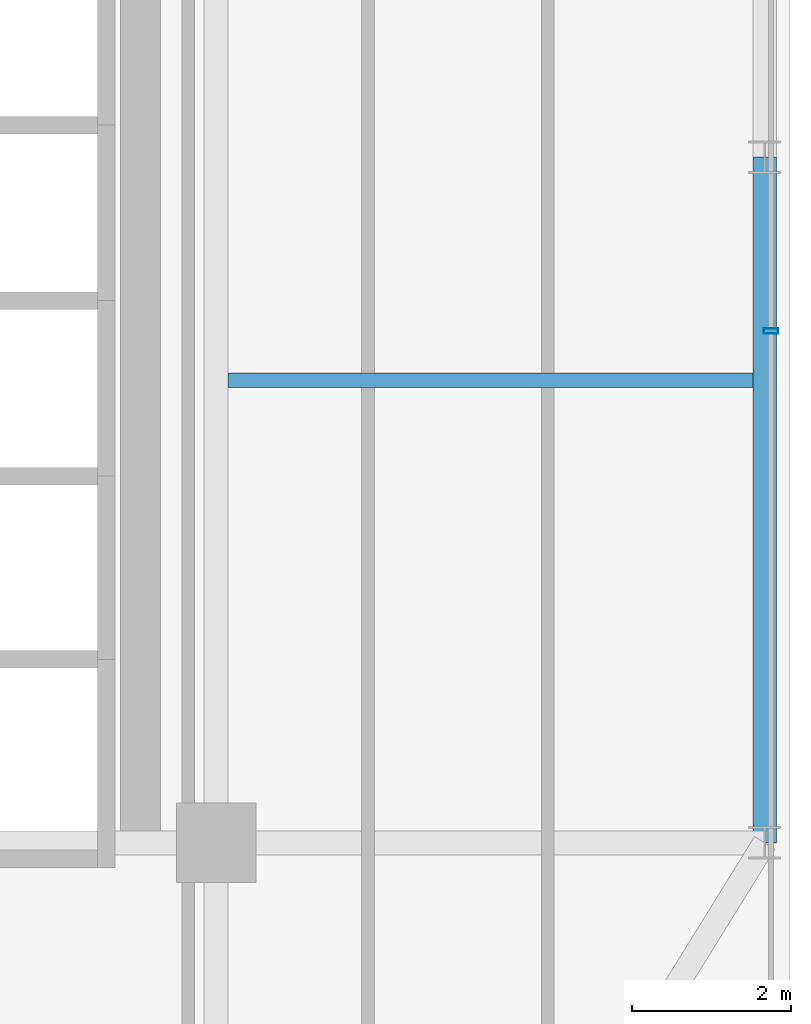
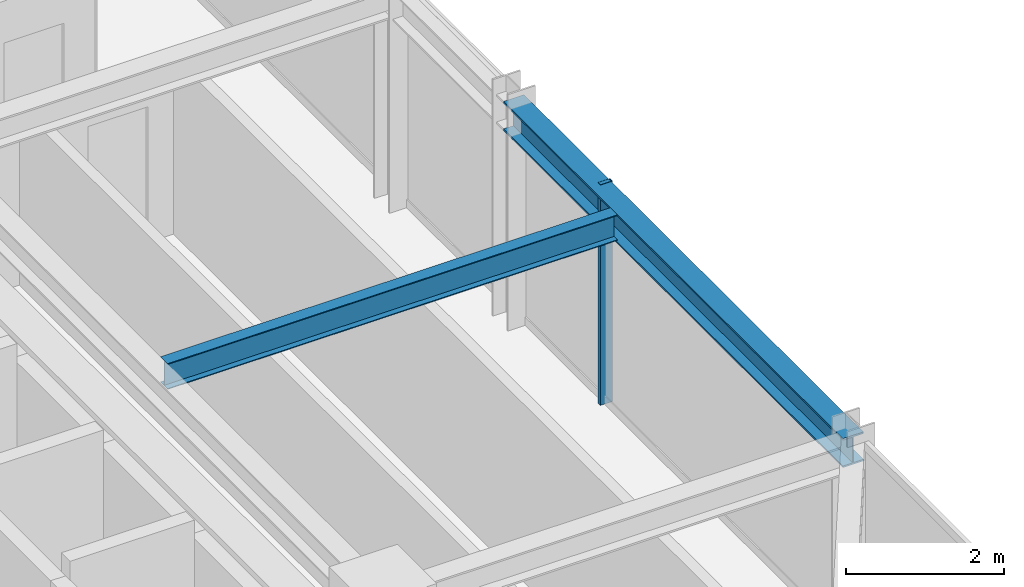
# One storey, part 15 of 36: 2 beams, 1 member, 1 element without a shape of its own.
"""IFC4 building model written with IfcOpenShell, lengths in metres."""

from ifc_helpers import new_model, si_unit, direction, frame, origin, origin_2d, place, context, subcontext, project, spatial, hollow_rectangle, i_section, extrude, source, transform, mapped, material, material_profile, profile_set, type_object, element, aggregate, save


model = new_model("IFC4")

# Units and contexts
model_context = context("Model", 3, precision=1e-05, world=origin(), true_north=direction((0.0, 1.0)))
body_context = subcontext(model_context, "Body", "Model", "MODEL_VIEW")
ifc_project = project(units=[si_unit("LENGTHUNIT", "METRE"), si_unit("AREAUNIT", "SQUARE_METRE"), si_unit("VOLUMEUNIT", "CUBIC_METRE"), si_unit("PLANEANGLEUNIT", "RADIAN"), si_unit("MASSUNIT", "GRAM", prefix="KILO")], contexts=[model_context])

# Site, building, storey
site_placement = place(None, origin())
site = spatial("IfcSite", under=ifc_project, at=site_placement, CompositionType="ELEMENT")
building_placement = place(site_placement, origin())
building = spatial("IfcBuilding", under=site, at=building_placement, Name="Nahalor Promenade Grand Hotel", CompositionType="ELEMENT")
storey_placement = place(building_placement, frame((0.0, 0.0, 241.89990234375)))
storey = spatial("IfcBuildingStorey", under=building, at=storey_placement, Name="L62", CompositionType="ELEMENT", Elevation=241.89990234375)

# Beams
ifc_material_1 = material(Name="Steel S355JR", Category="steel")
ifc_material_profile_1 = material_profile(ifc_material_1, i_section(OverallWidth=0.3, OverallDepth=0.45, WebThickness=0.014, FlangeThickness=0.026, at=origin_2d()), Name="HEB 450")
ifc_profile_set_1 = profile_set([ifc_material_profile_1], Name="Steel S355JR")
beam_type_1 = type_object("IfcBeamType", Name="Beam-Spandrel-HEB450", PredefinedType="SPANDREL", material=ifc_profile_set_1)
shared_shape_1 = source(origin(), body_context, "Body", "SweptSolid", [
    extrude(i_section(OverallWidth=0.3, OverallDepth=0.45, WebThickness=0.014, FlangeThickness=0.026, at=origin_2d()), origin(), (0.0, 0.0, 1.0), 8.60009765625),
])
beam_1_placement = place(storey_placement, frame((23.8798828125, -17.0, 3.18505859375), z_axis=(0.0, 1.0, 0.0), x_axis=(-1.0, 0.0, 0.0)))
element("IfcBeam", 1, at=beam_1_placement, inside=storey, type_object=beam_type_1, Name="BM-L62-SP-E-0", PredefinedType="SPANDREL", context=body_context, shape_type="MappedRepresentation", body=[
    mapped(shared_shape_1, transform((0.0, 0.0, 0.0), scale=1.0)),
])
ifc_material_profile_2 = material_profile(ifc_material_1, i_section(OverallWidth=0.18, OverallDepth=0.4, WebThickness=0.0086, FlangeThickness=0.0135, at=origin_2d()), Name="IPE 400")
ifc_profile_set_2 = profile_set([ifc_material_profile_2], Name="Steel S355JR")
beam_type_2 = type_object("IfcBeamType", Name="Beam-Joist-IPE400", PredefinedType="JOIST", material=ifc_profile_set_2)
shared_shape_2 = source(origin(), body_context, "Body", "SweptSolid", [
    extrude(i_section(OverallWidth=0.18, OverallDepth=0.4, WebThickness=0.0086, FlangeThickness=0.0135, at=origin_2d()), origin(), (0.0, 0.0, 1.0), 6.580078125),
])
beam_2_placement = place(storey_placement, frame((17.14990234375, -11.199951171875, 3.210205078125), z_axis=(1.0, 0.0, 0.0), x_axis=(0.0, 1.0, 0.0)))
element("IfcBeam", 2, at=beam_2_placement, inside=storey, type_object=beam_type_2, Name="BM-L62-JSE-0-2", PredefinedType="JOIST", context=body_context, shape_type="MappedRepresentation", body=[
    mapped(shared_shape_2, transform((0.0, 0.0, 0.0), scale=1.0)),
])

# Curtain wall, member
ifc_material_2 = material(Name="Anodised Bronze Aluminium EN AW-6063 T6", Category="aluminium")
curtain_wall_type = type_object("IfcCurtainWallType", Name="CW2 Typical Hotel Flush Bronze Unitised Curtain Wall", PredefinedType="USERDEFINED", material=ifc_material_2)
curtain_wall_placement = place(storey_placement, origin())
curtain_wall = element("IfcCurtainWall", 3, at=curtain_wall_placement, inside=storey, type_object=curtain_wall_type, Name="L62 Curtain Wall CW-L62-E-1", ObjectType="UNITISED_CURTAIN_WALL", PredefinedType="USERDEFINED")
ifc_material_profile_3 = material_profile(ifc_material_2, hollow_rectangle(XDim=0.065, YDim=0.18, WallThickness=0.004, at=origin_2d()), Name="CWM 65x180x4")
ifc_profile_set_3 = profile_set([ifc_material_profile_3], Name="Anodised Bronze Aluminium EN AW-6063 T6")
member_type = type_object("IfcMemberType", Name="CWM2 Typical Bronze Mullion 65x180", PredefinedType="MULLION", material=ifc_profile_set_3)
shared_shape_3 = source(origin(), body_context, "Body", "SweptSolid", [
    extrude(hollow_rectangle(XDim=0.065, YDim=0.18, WallThickness=0.004, at=origin_2d()), origin(), (0.0, 0.0, 1.0), 3.41015625),
])
member_placement = place(storey_placement, frame((23.9599609375, -10.580078125, 0.0), z_axis=(0.0, 0.0, 1.0), x_axis=(0.0, 1.0, 0.0)))
member = element("IfcMember", 4, at=member_placement, type_object=member_type, Name="CW-L62-E-1 Mullion 1", PredefinedType="MULLION", context=body_context, shape_type="MappedRepresentation", body=[
    mapped(shared_shape_3, transform((0.0, 0.0, 0.0), scale=1.0)),
])
aggregate(curtain_wall, [member])

save(model, "model.ifc")
